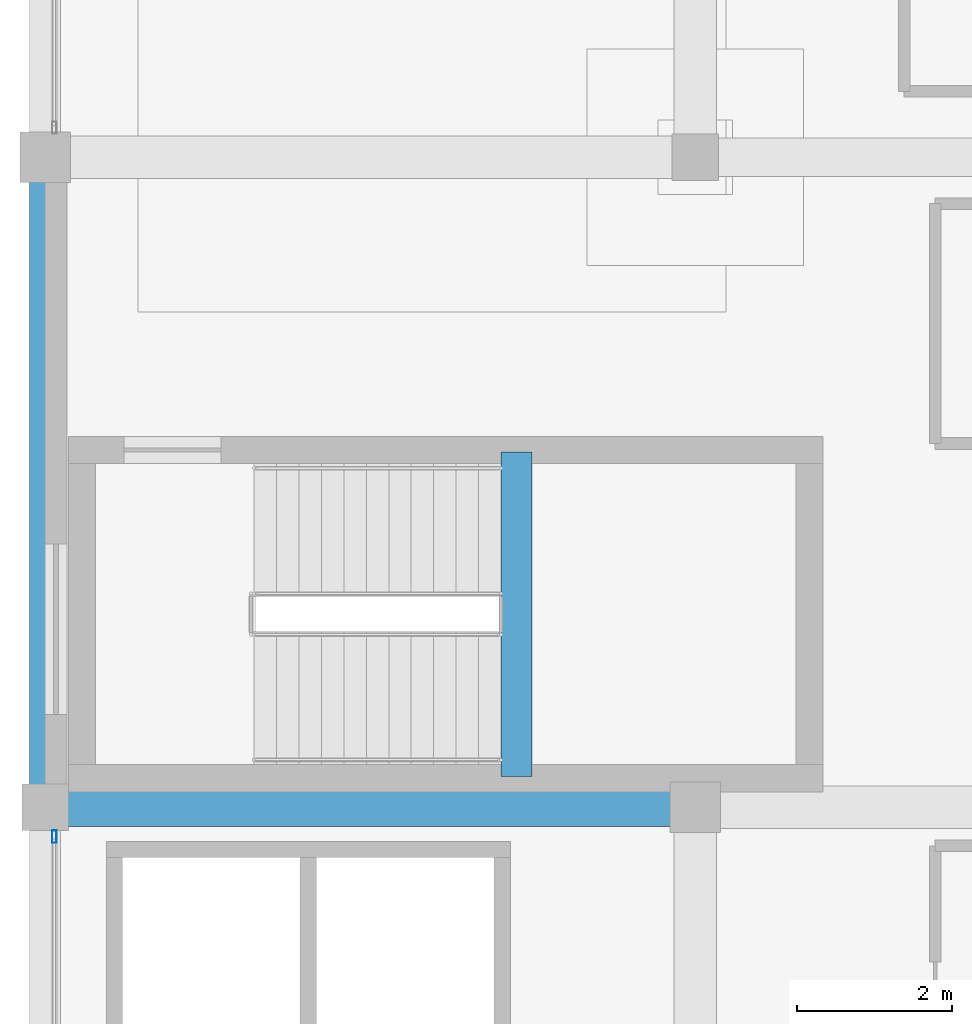
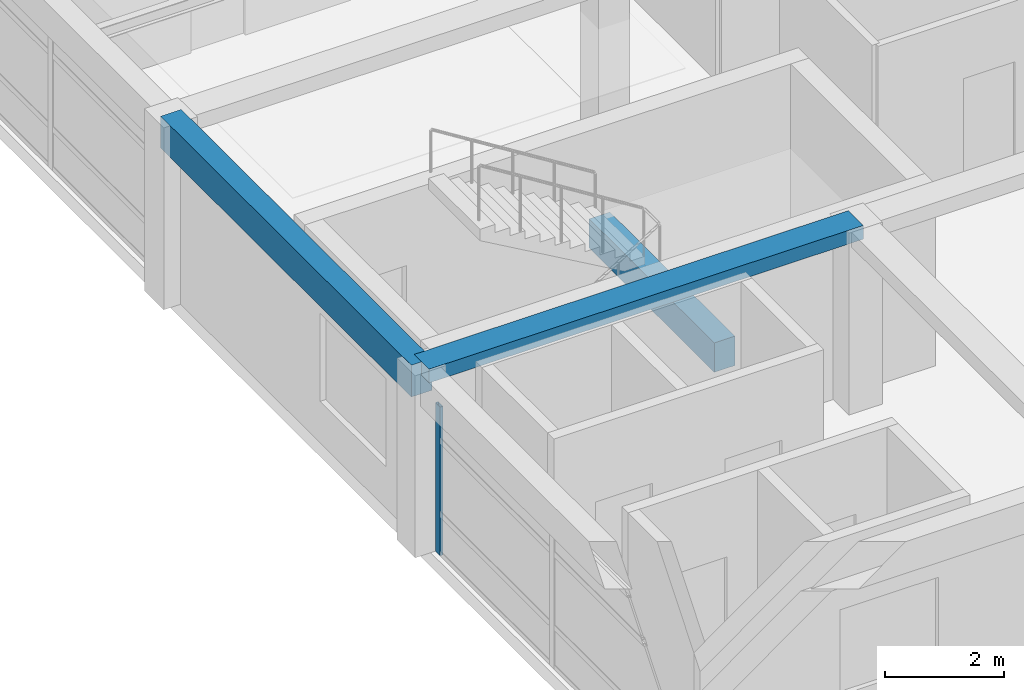
# One storey, part 4 of 26: 3 beams, 1 member, 1 element without a shape of its own.
"""IFC4 building model written with IfcOpenShell, lengths in metres."""

from ifc_helpers import new_model, si_unit, direction, frame, origin, origin_2d, place, context, subcontext, project, spatial, rectangle, hollow_rectangle, extrude, material, material_profile, profile_set, type_object, element, aggregate, save


model = new_model("IFC4")

# Units and contexts
model_context = context("Model", 3, precision=1e-05, world=origin(), true_north=direction((0.0, 1.0)))
body_context = subcontext(model_context, "Body", "Model", "MODEL_VIEW")
ifc_project = project(units=[si_unit("LENGTHUNIT", "METRE"), si_unit("AREAUNIT", "SQUARE_METRE"), si_unit("VOLUMEUNIT", "CUBIC_METRE"), si_unit("PLANEANGLEUNIT", "RADIAN"), si_unit("MASSUNIT", "GRAM", prefix="KILO")], contexts=[model_context])

# Site, building, storey
site_placement = place(None, origin())
site = spatial("IfcSite", under=ifc_project, at=site_placement, CompositionType="ELEMENT")
building_placement = place(site_placement, origin())
building = spatial("IfcBuilding", under=site, at=building_placement, Name="Almacenes y Pasaje Nevantli", CompositionType="ELEMENT")
storey_placement = place(building_placement, frame((0.0, 0.0, 54.699951171875)))
storey = spatial("IfcBuildingStorey", under=building, at=storey_placement, Name="L13", CompositionType="ELEMENT", Elevation=54.699951171875)

# Beams
ifc_material_1 = material(Name="Concrete C35/45", Category="concrete")
ifc_material_profile_1 = material_profile(ifc_material_1, rectangle(XDim=0.39990234375, YDim=0.60009765625, at=origin_2d()), Name="RC-BM-400x600")
ifc_profile_set_1 = profile_set([ifc_material_profile_1], Name="Concrete C35/45")
beam_type_1 = type_object("IfcBeamType", Name="BM-RC-400x600", PredefinedType="SPANDREL", material=ifc_profile_set_1)
beam_1_placement = place(storey_placement, frame((123.68994140625, 76.0, 1.5), z_axis=(0.0, 1.0, 0.0), x_axis=(-1.0, 0.0, 0.0)))
element("IfcBeam", 1, at=beam_1_placement, inside=storey, type_object=beam_type_1, Name="L13 Stair ST-01 Half-Landing Support Beam", PredefinedType="SPANDREL", context=body_context, shape_type="SweptSolid", body=[
    extrude(rectangle(XDim=0.39990234375, YDim=0.60009765625, at=origin_2d()), origin(), (0.0, 0.0, 1.0), 4.18994140625),
])
ifc_material_2 = material(Name="Concrete C35/45", Category="concrete")
ifc_material_profile_2 = material_profile(ifc_material_2, rectangle(XDim=0.39990234375, YDim=0.64990234375, at=origin_2d()), Name="RC-BM-400x650")
ifc_profile_set_2 = profile_set([ifc_material_profile_2], Name="Concrete C35/45")
beam_type_2 = type_object("IfcBeamType", Name="BM-RC-400x650", PredefinedType="SPANDREL", material=ifc_profile_set_2)
beam_2_placement = place(storey_placement, frame((117.60009765625, 75.60009765625, 3.39501953125), z_axis=(0.0, 1.0, 0.0), x_axis=(-1.0, 0.0, 0.0)))
element("IfcBeam", 2, at=beam_2_placement, inside=storey, type_object=beam_type_2, Name="L13 North-South Reinforced Concrete Beam #3964", PredefinedType="SPANDREL", context=body_context, shape_type="SweptSolid", body=[
    extrude(rectangle(XDim=0.39990234375, YDim=0.64990234375, at=origin_2d()), origin(), (0.0, 0.0, 1.0), 8.39990234375),
])
ifc_material_3 = material(Name="Concrete C35/45", Category="concrete")
ifc_material_profile_3 = material_profile(ifc_material_3, rectangle(XDim=0.5, YDim=0.280029296875, at=origin_2d()), Name="RC-BM-500x280")
ifc_profile_set_3 = profile_set([ifc_material_profile_3], Name="Concrete C35/45")
beam_type_3 = type_object("IfcBeamType", Name="BM-RC-500x280", PredefinedType="BEAM", material=ifc_profile_set_3)
beam_3_placement = place(storey_placement, frame((117.60009765625, 75.60009765625, 3.580078125), z_axis=(1.0, 0.0, 0.0), x_axis=(0.0, 1.0, 0.0)))
element("IfcBeam", 3, at=beam_3_placement, inside=storey, type_object=beam_type_3, Name="L13 East-West Reinforced Concrete Beam #3943", PredefinedType="BEAM", context=body_context, shape_type="SweptSolid", body=[
    extrude(rectangle(XDim=0.5, YDim=0.280029296875, at=origin_2d()), origin(), (0.0, 0.0, 1.0), 8.39990234375),
])

# Curtain wall, member
ifc_material_4 = material(Name="Thermally Broken Aluminium and Low-E Glass", Category="aluminium")
curtain_wall_type = type_object("IfcCurtainWallType", Name="CW-UNIT-TOWER", PredefinedType="USERDEFINED", material=ifc_material_4)
curtain_wall_placement = place(storey_placement, origin())
curtain_wall = element("IfcCurtainWall", 4, at=curtain_wall_placement, inside=storey, type_object=curtain_wall_type, Name="L13 Tower West Curtain Wall Bay 9", ObjectType="UNITIZED CURTAIN WALL", PredefinedType="USERDEFINED")
ifc_material_5 = material(Name="Thermally Broken Anodized Aluminium", Category="aluminium")
ifc_material_profile_4 = material_profile(ifc_material_5, hollow_rectangle(XDim=0.06005859375, YDim=0.159912109375, WallThickness=0.00390625, at=origin_2d()), Name="ALU-MUL-60x160")
ifc_profile_set_4 = profile_set([ifc_material_profile_4], Name="Thermally Broken Anodized Aluminium")
member_type = type_object("IfcMemberType", Name="CW-MUL-180", PredefinedType="MULLION", material=ifc_profile_set_4)
member_placement = place(storey_placement, frame((117.719970703125, 75.219970703125, 0.0), z_axis=(0.0, 0.0, 1.0), x_axis=(-1.0, 0.0, 0.0)))
member = element("IfcMember", 5, at=member_placement, type_object=member_type, Name="CW-L13-173 mullion 3", PredefinedType="MULLION", context=body_context, shape_type="SweptSolid", body=[
    extrude(hollow_rectangle(XDim=0.06005859375, YDim=0.159912109375, WallThickness=0.00390625, at=origin_2d()), origin(), (0.0, 0.0, 1.0), 3.0400390625),
])
aggregate(curtain_wall, [member])

save(model, "model.ifc")
